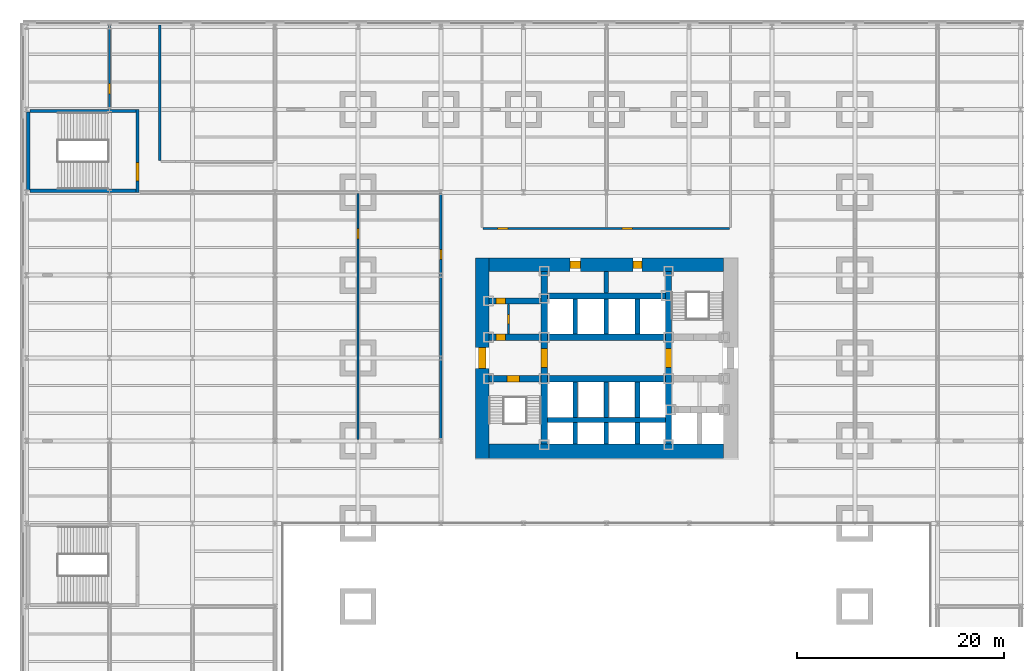
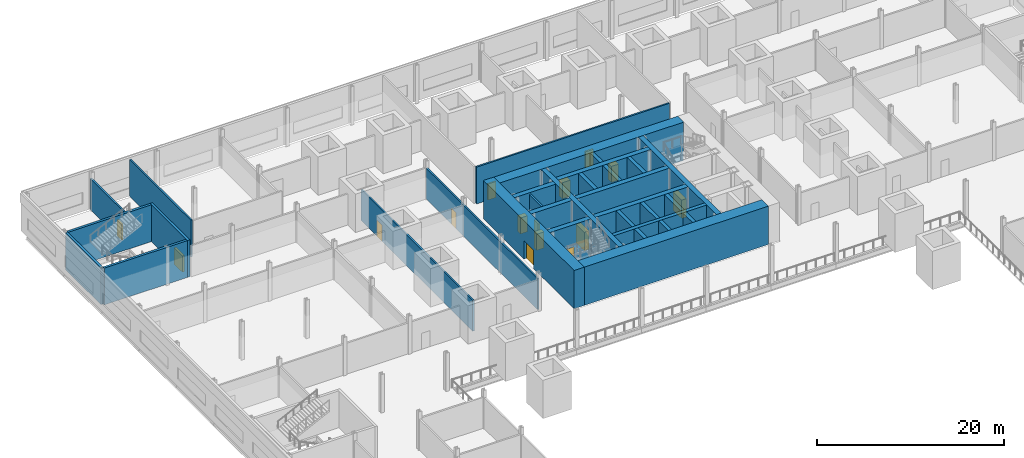
# One storey, part 11 of 18: 32 walls, 15 doors, 15 openings.
"""IFC4 building model written with IfcOpenShell, lengths in metres."""

from ifc_helpers import new_model, si_unit, direction, frame, frame_2d, origin, place, context, subcontext, project, spatial, rectangle, extrude, material, layer, layer_set, type_object, element, fill, save


model = new_model("IFC4")

# Units and contexts
model_context = context("Model", 3, precision=1e-05, world=origin(), true_north=direction((0.0, 1.0)))
body_context = subcontext(model_context, "Body", "Model", "MODEL_VIEW")
ifc_project = project(units=[si_unit("LENGTHUNIT", "METRE"), si_unit("AREAUNIT", "SQUARE_METRE"), si_unit("VOLUMEUNIT", "CUBIC_METRE"), si_unit("PLANEANGLEUNIT", "RADIAN"), si_unit("MASSUNIT", "GRAM", prefix="KILO")], contexts=[model_context])

# Site, building, storey
site_placement = place(None, origin())
site = spatial("IfcSite", under=ifc_project, at=site_placement, CompositionType="ELEMENT")
building_placement = place(site_placement, origin())
building = spatial("IfcBuilding", under=site, at=building_placement, Name="Daluyong Arena Tower", CompositionType="ELEMENT")
storey_placement = place(building_placement, frame((0.0, 0.0, 4.89990234375)))
storey = spatial("IfcBuildingStorey", under=building, at=storey_placement, Name="L01", CompositionType="ELEMENT", Elevation=4.89990234375)

# Wall, opening, door
ifc_material_1 = material(Name="Concrete fc' 60 MPa", Category="concrete")
ifc_layer_1 = layer(ifc_material_1, 0.60009765625)
ifc_layer_set_1 = layer_set([ifc_layer_1], Name="Concrete fc' 60 MPa")
wall_type_1 = type_object("IfcWallType", Name="Core inner wall 600", PredefinedType="SHEAR", material=ifc_layer_set_1)
wall_1_placement = place(storey_placement, frame((50.0, 71.699951171875, 0.0), z_axis=(0.0, 0.0, 1.0), x_axis=(0.0, 1.0, 0.0)))
wall_1 = element("IfcWall", 1, at=wall_1_placement, inside=storey, type_object=wall_type_1, Name="core inner wall at L01", PredefinedType="SHEAR", context=body_context, shape_type="SweptSolid", body=[
    extrude(rectangle(XDim=16.66015625, YDim=0.60009765625, at=frame_2d((8.330078125, 0.0))), origin(), (0.0, 0.0, 1.0), 5.0),
])
opening_1_placement = place(wall_1_placement, frame((7.39990234375, 0.0, 0.0)))
opening_1 = element("IfcOpeningElement", 2, at=opening_1_placement, cuts=wall_1, Name="Opening 01010", PredefinedType="OPENING", context=body_context, shape_type="SweptSolid", body=[
    extrude(rectangle(XDim=1.800048828125, YDim=2.39990234375, at=frame_2d((0.89990234375, 1.199951171875))), frame((0.0, 0.31005859375, 0.0), z_axis=(0.0, -1.0, 0.0), x_axis=(1.0, 0.0, 0.0)), (0.0, 0.0, 1.0), 0.6201171875),
])
ifc_material_2 = material(Name="Steel door, fire rated", Category="steel")
door_type_1 = type_object("IfcDoorType", Name="Lift lobby opening door 1800", OperationType="DOUBLE_DOOR_SINGLE_SWING", PredefinedType="DOOR", material=ifc_material_2)
door_1_placement = place(opening_1_placement, origin())
door_1 = element("IfcDoor", 3, at=door_1_placement, inside=storey, type_object=door_type_1, Name="lift lobby door west 01010", OperationType="DOUBLE_DOOR_SINGLE_SWING", OverallHeight=2.39990234375, OverallWidth=1.800048828125, PredefinedType="DOOR", context=body_context, shape_type="SweptSolid", body=[
    extrude(rectangle(XDim=1.800048828125, YDim=2.39990234375, at=frame_2d((0.89990234375, 1.199951171875))), frame((0.0, 0.2998046875, 0.0), z_axis=(0.0, -1.0, 0.0), x_axis=(1.0, 0.0, 0.0)), (0.0, 0.0, 1.0), 0.599609375),
])
fill(opening_1, door_1)

wall_2_placement = place(storey_placement, frame((62.0, 71.699951171875, 0.0), z_axis=(0.0, 0.0, 1.0), x_axis=(0.0, 1.0, 0.0)))
wall_2 = element("IfcWall", 4, at=wall_2_placement, inside=storey, type_object=wall_type_1, Name="core inner wall at L01", PredefinedType="SHEAR", context=body_context, shape_type="SweptSolid", body=[
    extrude(rectangle(XDim=16.66015625, YDim=0.60009765625, at=frame_2d((8.330078125, 0.0))), origin(), (0.0, 0.0, 1.0), 5.0),
])
opening_2_placement = place(wall_2_placement, frame((7.39990234375, 0.0, 0.0)))
opening_2 = element("IfcOpeningElement", 5, at=opening_2_placement, cuts=wall_2, Name="Opening 01011", PredefinedType="OPENING", context=body_context, shape_type="SweptSolid", body=[
    extrude(rectangle(XDim=1.800048828125, YDim=2.39990234375, at=frame_2d((0.89990234375, 1.199951171875))), frame((0.0, 0.31005859375, 0.0), z_axis=(0.0, -1.0, 0.0), x_axis=(1.0, 0.0, 0.0)), (0.0, 0.0, 1.0), 0.6201171875),
])
door_2_placement = place(opening_2_placement, origin())
door_2 = element("IfcDoor", 6, at=door_2_placement, inside=storey, type_object=door_type_1, Name="lift lobby door east 01011", OperationType="DOUBLE_DOOR_SINGLE_SWING", OverallHeight=2.39990234375, OverallWidth=1.800048828125, PredefinedType="DOOR", context=body_context, shape_type="SweptSolid", body=[
    extrude(rectangle(XDim=1.800048828125, YDim=2.39990234375, at=frame_2d((0.89990234375, 1.199951171875))), frame((0.0, 0.2998046875, 0.0), z_axis=(0.0, -1.0, 0.0), x_axis=(1.0, 0.0, 0.0)), (0.0, 0.0, 1.0), 0.599609375),
])
fill(opening_2, door_2)

wall_3_placement = place(storey_placement, frame((44.639892578125, 78.0, 0.0), z_axis=(0.0, 0.0, 1.0), x_axis=(1.0, 0.0, 0.0)))
wall_3 = element("IfcWall", 7, at=wall_3_placement, inside=storey, type_object=wall_type_1, Name="core inner wall at L01", PredefinedType="SHEAR", context=body_context, shape_type="SweptSolid", body=[
    extrude(rectangle(XDim=5.06005859375, YDim=0.60009765625, at=frame_2d((2.530029296875, 0.0))), origin(), (0.0, 0.0, 1.0), 5.0),
])
opening_3_placement = place(wall_3_placement, frame((1.760009765625, 0.0, 0.0)))
opening_3 = element("IfcOpeningElement", 8, at=opening_3_placement, cuts=wall_3, Name="Opening 01006", PredefinedType="OPENING", context=body_context, shape_type="SweptSolid", body=[
    extrude(rectangle(XDim=1.199951171875, YDim=2.10009765625, at=frame_2d((0.60009765625, 1.050048828125))), frame((0.0, 0.31005859375, 0.0), z_axis=(0.0, -1.0, 0.0), x_axis=(1.0, 0.0, 0.0)), (0.0, 0.0, 1.0), 0.6201171875),
])
ifc_material_3 = material(Name="Steel door, fire rated", Category="steel")
door_type_2 = type_object("IfcDoorType", Name="Stair door 1200", OperationType="SINGLE_SWING_LEFT", PredefinedType="DOOR", material=ifc_material_3)
door_3_placement = place(opening_3_placement, origin())
door_3 = element("IfcDoor", 9, at=door_3_placement, inside=storey, type_object=door_type_2, Name="stair A door 01006", OperationType="SINGLE_SWING_LEFT", OverallHeight=2.10009765625, OverallWidth=1.199951171875, PredefinedType="DOOR", context=body_context, shape_type="SweptSolid", body=[
    extrude(rectangle(XDim=1.199951171875, YDim=2.10009765625, at=frame_2d((0.60009765625, 1.050048828125))), frame((0.0, 0.2998046875, 0.0), z_axis=(0.0, -1.0, 0.0), x_axis=(1.0, 0.0, 0.0)), (0.0, 0.0, 1.0), 0.599609375),
])
fill(opening_3, door_3)

wall_4_placement = place(storey_placement, frame((44.639892578125, 82.0, 0.0), z_axis=(0.0, 0.0, 1.0), x_axis=(1.0, 0.0, 0.0)))
wall_4 = element("IfcWall", 10, at=wall_4_placement, inside=storey, type_object=wall_type_1, Name="core inner wall at L01", PredefinedType="SHEAR", context=body_context, shape_type="SweptSolid", body=[
    extrude(rectangle(XDim=5.06005859375, YDim=0.60009765625, at=frame_2d((2.530029296875, 0.0))), origin(), (0.0, 0.0, 1.0), 5.0),
])
opening_4_placement = place(wall_4_placement, frame((0.699951171875, 0.0, 0.0)))
opening_4 = element("IfcOpeningElement", 11, at=opening_4_placement, cuts=wall_4, Name="Opening 01001", PredefinedType="OPENING", context=body_context, shape_type="SweptSolid", body=[
    extrude(rectangle(XDim=0.89990234375, YDim=2.10009765625, at=frame_2d((0.449951171875, 1.050048828125))), frame((0.0, 0.31005859375, 0.0), z_axis=(0.0, -1.0, 0.0), x_axis=(1.0, 0.0, 0.0)), (0.0, 0.0, 1.0), 0.6201171875),
])
ifc_material_4 = material(Name="Steel door, fire rated", Category="steel")
door_type_3 = type_object("IfcDoorType", Name="Core room door 900", OperationType="SINGLE_SWING_LEFT", PredefinedType="DOOR", material=ifc_material_4)
door_4_placement = place(opening_4_placement, origin())
door_4 = element("IfcDoor", 12, at=door_4_placement, inside=storey, type_object=door_type_3, Name="toilet lobby door 01001", OperationType="SINGLE_SWING_LEFT", OverallHeight=2.10009765625, OverallWidth=0.89990234375, PredefinedType="DOOR", context=body_context, shape_type="SweptSolid", body=[
    extrude(rectangle(XDim=0.89990234375, YDim=2.10009765625, at=frame_2d((0.449951171875, 1.050048828125))), frame((0.0, 0.2998046875, 0.0), z_axis=(0.0, -1.0, 0.0), x_axis=(1.0, 0.0, 0.0)), (0.0, 0.0, 1.0), 0.599609375),
])
fill(opening_4, door_4)

wall_5_placement = place(storey_placement, frame((44.639892578125, 85.5, 0.0), z_axis=(0.0, 0.0, 1.0), x_axis=(1.0, 0.0, 0.0)))
wall_5 = element("IfcWall", 13, at=wall_5_placement, inside=storey, type_object=wall_type_1, Name="core inner wall at L01", PredefinedType="SHEAR", context=body_context, shape_type="SweptSolid", body=[
    extrude(rectangle(XDim=5.06005859375, YDim=0.60009765625, at=frame_2d((2.530029296875, 0.0))), origin(), (0.0, 0.0, 1.0), 5.0),
])
opening_5_placement = place(wall_5_placement, frame((0.699951171875, 0.0, 0.0)))
opening_5 = element("IfcOpeningElement", 14, at=opening_5_placement, cuts=wall_5, Name="Opening 01003", PredefinedType="OPENING", context=body_context, shape_type="SweptSolid", body=[
    extrude(rectangle(XDim=0.89990234375, YDim=2.10009765625, at=frame_2d((0.449951171875, 1.050048828125))), frame((0.0, 0.31005859375, 0.0), z_axis=(0.0, -1.0, 0.0), x_axis=(1.0, 0.0, 0.0)), (0.0, 0.0, 1.0), 0.6201171875),
])
ifc_material_5 = material(Name="Timber door", Category="wood")
door_type_4 = type_object("IfcDoorType", Name="Toilet door 900", OperationType="SINGLE_SWING_RIGHT", PredefinedType="DOOR", material=ifc_material_5)
door_5_placement = place(opening_5_placement, origin())
door_5 = element("IfcDoor", 15, at=door_5_placement, inside=storey, type_object=door_type_4, Name="female toilet door 01003", OperationType="SINGLE_SWING_RIGHT", OverallHeight=2.10009765625, OverallWidth=0.89990234375, PredefinedType="DOOR", context=body_context, shape_type="SweptSolid", body=[
    extrude(rectangle(XDim=0.89990234375, YDim=2.10009765625, at=frame_2d((0.449951171875, 1.050048828125))), frame((0.0, 0.2998046875, 0.0), z_axis=(0.0, -1.0, 0.0), x_axis=(1.0, 0.0, 0.0)), (0.0, 0.0, 1.0), 0.599609375),
])
fill(opening_5, door_5)

# Walls
for number, where, z_axis, x_axis, name in (
    (16, (50.300048828125, 78.0, 0.0), (0.0, 0.0, 1.0), (1.0, 0.0, 0.0), "core inner wall at L01"),
    (17, (50.300048828125, 82.0, 0.0), (0.0, 0.0, 1.0), (1.0, 0.0, 0.0), "core inner wall at L01"),
    (18, (50.300048828125, 86.0, 0.0), (0.0, 0.0, 1.0), (1.0, 0.0, 0.0), "core inner wall at L01"),
):
    element("IfcWall", number, at=place(storey_placement, frame(where, z_axis=z_axis, x_axis=x_axis)), inside=storey, type_object=wall_type_1, Name=name, PredefinedType="SHEAR", context=body_context, shape_type="SweptSolid", body=[
        extrude(rectangle(XDim=11.39990234375, YDim=0.60009765625, at=frame_2d((5.699951171875, 0.0))), origin(), (0.0, 0.0, 1.0), 5.0),
    ])

# Wall, opening, door
ifc_material_6 = material(Name="Concrete fc' 60 MPa", Category="concrete")
ifc_layer_2 = layer(ifc_material_6, 1.280029296875)
ifc_layer_set_2 = layer_set([ifc_layer_2], Name="Concrete fc' 60 MPa")
wall_type_2 = type_object("IfcWallType", Name="Core wall 1280", PredefinedType="SHEAR", material=ifc_layer_set_2)
wall_6_placement = place(storey_placement, frame((44.0, 70.300048828125, 0.0), z_axis=(0.0, 0.0, 1.0), x_axis=(0.0, 1.0, 0.0)))
wall_6 = element("IfcWall", 19, at=wall_6_placement, inside=storey, type_object=wall_type_2, Name="core wall at L01", PredefinedType="SHEAR", context=body_context, shape_type="SweptSolid", body=[
    extrude(rectangle(XDim=19.33984375, YDim=1.280029296875, at=frame_2d((9.669921875, 0.0))), origin(), (0.0, 0.0, 1.0), 5.0),
])
opening_6_placement = place(wall_6_placement, frame((8.699951171875, 0.0, 0.0)))
opening_6 = element("IfcOpeningElement", 20, at=opening_6_placement, cuts=wall_6, Name="Opening 01008", PredefinedType="OPENING", context=body_context, shape_type="SweptSolid", body=[
    extrude(rectangle(XDim=2.0, YDim=2.39990234375, at=frame_2d((1.0, 1.199951171875))), frame((0.0, 0.64990234375, 0.0), z_axis=(0.0, -1.0, 0.0), x_axis=(1.0, 0.0, 0.0)), (0.0, 0.0, 1.0), 1.300048828125),
])
ifc_material_7 = material(Name="Steel door, fire rated", Category="steel")
door_type_5 = type_object("IfcDoorType", Name="Core lobby double door 2000", OperationType="DOUBLE_DOOR_SINGLE_SWING", PredefinedType="DOOR", material=ifc_material_7)
door_6_placement = place(opening_6_placement, origin())
door_6 = element("IfcDoor", 21, at=door_6_placement, inside=storey, type_object=door_type_5, Name="core lobby door west 01008", OperationType="DOUBLE_DOOR_SINGLE_SWING", OverallHeight=2.39990234375, OverallWidth=2.0, PredefinedType="DOOR", context=body_context, shape_type="SweptSolid", body=[
    extrude(rectangle(XDim=2.0, YDim=2.39990234375, at=frame_2d((1.0, 1.199951171875))), frame((0.0, 0.35009765625, 0.0), z_axis=(0.0, -1.0, 0.0), x_axis=(1.0, 0.0, 0.0)), (0.0, 0.0, 1.0), 0.699951171875),
])
fill(opening_6, door_6)

# Wall, openings, doors
wall_7_placement = place(storey_placement, frame((44.639892578125, 89.0, 0.0), z_axis=(0.0, 0.0, 1.0), x_axis=(1.0, 0.0, 0.0)))
wall_7 = element("IfcWall", 22, at=wall_7_placement, inside=storey, type_object=wall_type_2, Name="core wall at L01", PredefinedType="SHEAR", context=body_context, shape_type="SweptSolid", body=[
    extrude(rectangle(XDim=22.66015625, YDim=1.280029296875, at=frame_2d((11.330078125, 0.0))), origin(), (0.0, 0.0, 1.0), 5.0),
])
opening_7_placement = place(wall_7_placement, frame((7.860107421875, 0.0, 0.0)))
opening_7 = element("IfcOpeningElement", 23, at=opening_7_placement, cuts=wall_7, Name="Opening 01004", PredefinedType="OPENING", context=body_context, shape_type="SweptSolid", body=[
    extrude(rectangle(XDim=1.0, YDim=2.10009765625, at=frame_2d((0.5, 1.050048828125))), frame((0.0, 0.64990234375, 0.0), z_axis=(0.0, -1.0, 0.0), x_axis=(1.0, 0.0, 0.0)), (0.0, 0.0, 1.0), 1.300048828125),
])
opening_8_placement = place(wall_7_placement, frame((13.909912109375, 0.0, 0.0)))
opening_8 = element("IfcOpeningElement", 24, at=opening_8_placement, cuts=wall_7, Name="Opening 01005", PredefinedType="OPENING", context=body_context, shape_type="SweptSolid", body=[
    extrude(rectangle(XDim=0.89990234375, YDim=2.10009765625, at=frame_2d((0.449951171875, 1.050048828125))), frame((0.0, 0.64990234375, 0.0), z_axis=(0.0, -1.0, 0.0), x_axis=(1.0, 0.0, 0.0)), (0.0, 0.0, 1.0), 1.300048828125),
])
ifc_material_8 = material(Name="Timber door", Category="wood")
door_type_6 = type_object("IfcDoorType", Name="Accessible toilet door 1000", OperationType="SINGLE_SWING_LEFT", PredefinedType="DOOR", material=ifc_material_8)
door_7_placement = place(opening_7_placement, origin())
door_7 = element("IfcDoor", 25, at=door_7_placement, inside=storey, type_object=door_type_6, Name="accessible toilet door 01004", OperationType="SINGLE_SWING_LEFT", OverallHeight=2.10009765625, OverallWidth=1.0, PredefinedType="DOOR", context=body_context, shape_type="SweptSolid", body=[
    extrude(rectangle(XDim=1.0, YDim=2.10009765625, at=frame_2d((0.5, 1.050048828125))), frame((0.0, 0.35009765625, 0.0), z_axis=(0.0, -1.0, 0.0), x_axis=(1.0, 0.0, 0.0)), (0.0, 0.0, 1.0), 0.699951171875),
])
fill(opening_7, door_7)
ifc_material_9 = material(Name="Steel door, fire rated", Category="steel")
door_type_7 = type_object("IfcDoorType", Name="Riser door 900", OperationType="SINGLE_SWING_LEFT", PredefinedType="DOOR", material=ifc_material_9)
door_8_placement = place(opening_8_placement, origin())
door_8 = element("IfcDoor", 26, at=door_8_placement, inside=storey, type_object=door_type_7, Name="riser door 01005", OperationType="SINGLE_SWING_LEFT", OverallHeight=2.10009765625, OverallWidth=0.89990234375, PredefinedType="DOOR", context=body_context, shape_type="SweptSolid", body=[
    extrude(rectangle(XDim=0.89990234375, YDim=2.10009765625, at=frame_2d((0.449951171875, 1.050048828125))), frame((0.0, 0.35009765625, 0.0), z_axis=(0.0, -1.0, 0.0), x_axis=(1.0, 0.0, 0.0)), (0.0, 0.0, 1.0), 0.699951171875),
])
fill(opening_8, door_8)

# Wall
ifc_material_10 = material(Name="Concrete fc' 60 MPa", Category="concrete")
ifc_layer_3 = layer(ifc_material_10, 1.39990234375)
ifc_layer_set_3 = layer_set([ifc_layer_3], Name="Concrete fc' 60 MPa")
wall_type_3 = type_object("IfcWallType", Name="Core wall 1400", PredefinedType="SHEAR", material=ifc_layer_set_3)
wall_8_placement = place(storey_placement, frame((44.639892578125, 71.0, 0.0), z_axis=(0.0, 0.0, 1.0), x_axis=(1.0, 0.0, 0.0)))
element("IfcWall", 27, at=wall_8_placement, inside=storey, type_object=wall_type_3, Name="core wall at L01", PredefinedType="SHEAR", context=body_context, shape_type="SweptSolid", body=[
    extrude(rectangle(XDim=22.66015625, YDim=1.39990234375, at=frame_2d((11.330078125, 0.0))), origin(), (0.0, 0.0, 1.0), 5.0),
])

# Wall, opening, door
ifc_material_11 = material(Name="Concrete block partition, fire rated", Category="concrete")
ifc_layer_4 = layer(ifc_material_11, 0.199951171875)
ifc_layer_set_4 = layer_set([ifc_layer_4], Name="Concrete block partition, fire rated")
wall_type_4 = type_object("IfcWallType", Name="Fire-rated partition 200", PredefinedType="PARTITIONING", material=ifc_layer_set_4)
wall_9_placement = place(storey_placement, frame((46.5400390625, 82.300048828125, 0.0), z_axis=(0.0, 0.0, 1.0), x_axis=(0.0, 1.0, 0.0)))
wall_9 = element("IfcWall", 28, at=wall_9_placement, inside=storey, type_object=wall_type_4, Name="toilet lobby partition at L01", PredefinedType="PARTITIONING", context=body_context, shape_type="SweptSolid", body=[
    extrude(rectangle(XDim=2.89990234375, YDim=0.199951171875, at=frame_2d((1.449951171875, 0.0))), origin(), (0.0, 0.0, 1.0), 4.800048828125),
])
opening_9_placement = place(wall_9_placement, frame((1.0, 0.0, 0.0)))
opening_9 = element("IfcOpeningElement", 29, at=opening_9_placement, cuts=wall_9, Name="Opening 01002", PredefinedType="OPENING", context=body_context, shape_type="SweptSolid", body=[
    extrude(rectangle(XDim=0.89990234375, YDim=2.10009765625, at=frame_2d((0.449951171875, 1.050048828125))), frame((0.0, 0.10986328125, 0.0), z_axis=(0.0, -1.0, 0.0), x_axis=(1.0, 0.0, 0.0)), (0.0, 0.0, 1.0), 0.219970703125),
])
door_9_placement = place(opening_9_placement, origin())
door_9 = element("IfcDoor", 30, at=door_9_placement, inside=storey, type_object=door_type_4, Name="male toilet door 01002", OperationType="SINGLE_SWING_RIGHT", OverallHeight=2.10009765625, OverallWidth=0.89990234375, PredefinedType="DOOR", context=body_context, shape_type="SweptSolid", body=[
    extrude(rectangle(XDim=0.89990234375, YDim=2.10009765625, at=frame_2d((0.449951171875, 1.050048828125))), frame((0.0, 0.099609375, 0.0), z_axis=(0.0, -1.0, 0.0), x_axis=(1.0, 0.0, 0.0)), (0.0, 0.0, 1.0), 0.199462890625),
])
fill(opening_9, door_9)

# Walls
ifc_material_12 = material(Name="Concrete fc' 45 MPa", Category="concrete")
ifc_layer_5 = layer(ifc_material_12, 0.449951171875)
ifc_layer_set_5 = layer_set([ifc_layer_5], Name="Concrete fc' 45 MPa")
wall_type_5 = type_object("IfcWallType", Name="Lift shaft wall 450", PredefinedType="SHEAR", material=ifc_layer_set_5)
wall_10_placement = place(storey_placement, frame((50.300048828125, 74.0, 0.0), z_axis=(0.0, 0.0, 1.0), x_axis=(1.0, 0.0, 0.0)))
element("IfcWall", 31, at=wall_10_placement, inside=storey, type_object=wall_type_5, Name="lift shaft wall at L01", PredefinedType="SHEAR", context=body_context, shape_type="SweptSolid", body=[
    extrude(rectangle(XDim=11.39990234375, YDim=0.449951171875, at=frame_2d((5.699951171875, 0.0))), origin(), (0.0, 0.0, 1.0), 5.0),
])
wall_11_placement = place(storey_placement, frame((53.0, 71.699951171875, 0.0), z_axis=(0.0, 0.0, 1.0), x_axis=(0.0, 1.0, 0.0)))
element("IfcWall", 32, at=wall_11_placement, inside=storey, type_object=wall_type_5, Name="lift shaft wall at L01", PredefinedType="SHEAR", context=body_context, shape_type="SweptSolid", body=[
    extrude(rectangle(XDim=2.074951171875, YDim=0.449951171875, at=frame_2d((1.03759765625, 0.0))), origin(), (0.0, 0.0, 1.0), 5.0),
])
wall_12_placement = place(storey_placement, frame((53.0, 74.22509765625, 0.0), z_axis=(0.0, 0.0, 1.0), x_axis=(0.0, 1.0, 0.0)))
element("IfcWall", 33, at=wall_12_placement, inside=storey, type_object=wall_type_5, Name="lift shaft wall at L01", PredefinedType="SHEAR", context=body_context, shape_type="SweptSolid", body=[
    extrude(rectangle(XDim=3.474853515625, YDim=0.449951171875, at=frame_2d((1.7373046875, 0.0))), origin(), (0.0, 0.0, 1.0), 5.0),
])
wall_13_placement = place(storey_placement, frame((53.0, 82.300048828125, 0.0), z_axis=(0.0, 0.0, 1.0), x_axis=(0.0, 1.0, 0.0)))
element("IfcWall", 34, at=wall_13_placement, inside=storey, type_object=wall_type_5, Name="lift shaft wall at L01", PredefinedType="SHEAR", context=body_context, shape_type="SweptSolid", body=[
    extrude(rectangle(XDim=3.39990234375, YDim=0.449951171875, at=frame_2d((1.699951171875, 0.0))), origin(), (0.0, 0.0, 1.0), 5.0),
])
wall_14_placement = place(storey_placement, frame((56.0, 71.699951171875, 0.0), z_axis=(0.0, 0.0, 1.0), x_axis=(0.0, 1.0, 0.0)))
element("IfcWall", 35, at=wall_14_placement, inside=storey, type_object=wall_type_5, Name="lift shaft wall at L01", PredefinedType="SHEAR", context=body_context, shape_type="SweptSolid", body=[
    extrude(rectangle(XDim=2.074951171875, YDim=0.449951171875, at=frame_2d((1.03759765625, 0.0))), origin(), (0.0, 0.0, 1.0), 5.0),
])
wall_15_placement = place(storey_placement, frame((56.0, 74.22509765625, 0.0), z_axis=(0.0, 0.0, 1.0), x_axis=(0.0, 1.0, 0.0)))
element("IfcWall", 36, at=wall_15_placement, inside=storey, type_object=wall_type_5, Name="lift shaft wall at L01", PredefinedType="SHEAR", context=body_context, shape_type="SweptSolid", body=[
    extrude(rectangle(XDim=3.474853515625, YDim=0.449951171875, at=frame_2d((1.7373046875, 0.0))), origin(), (0.0, 0.0, 1.0), 5.0),
])
wall_16_placement = place(storey_placement, frame((56.0, 82.300048828125, 0.0), z_axis=(0.0, 0.0, 1.0), x_axis=(0.0, 1.0, 0.0)))
element("IfcWall", 37, at=wall_16_placement, inside=storey, type_object=wall_type_5, Name="lift shaft wall at L01", PredefinedType="SHEAR", context=body_context, shape_type="SweptSolid", body=[
    extrude(rectangle(XDim=3.39990234375, YDim=0.449951171875, at=frame_2d((1.699951171875, 0.0))), origin(), (0.0, 0.0, 1.0), 5.0),
])
wall_17_placement = place(storey_placement, frame((59.0, 71.699951171875, 0.0), z_axis=(0.0, 0.0, 1.0), x_axis=(0.0, 1.0, 0.0)))
element("IfcWall", 38, at=wall_17_placement, inside=storey, type_object=wall_type_5, Name="lift shaft wall at L01", PredefinedType="SHEAR", context=body_context, shape_type="SweptSolid", body=[
    extrude(rectangle(XDim=2.074951171875, YDim=0.449951171875, at=frame_2d((1.03759765625, 0.0))), origin(), (0.0, 0.0, 1.0), 5.0),
])
wall_18_placement = place(storey_placement, frame((59.0, 74.22509765625, 0.0), z_axis=(0.0, 0.0, 1.0), x_axis=(0.0, 1.0, 0.0)))
element("IfcWall", 39, at=wall_18_placement, inside=storey, type_object=wall_type_5, Name="lift shaft wall at L01", PredefinedType="SHEAR", context=body_context, shape_type="SweptSolid", body=[
    extrude(rectangle(XDim=3.474853515625, YDim=0.449951171875, at=frame_2d((1.7373046875, 0.0))), origin(), (0.0, 0.0, 1.0), 5.0),
])
wall_19_placement = place(storey_placement, frame((59.0, 82.300048828125, 0.0), z_axis=(0.0, 0.0, 1.0), x_axis=(0.0, 1.0, 0.0)))
element("IfcWall", 40, at=wall_19_placement, inside=storey, type_object=wall_type_5, Name="lift shaft wall at L01", PredefinedType="SHEAR", context=body_context, shape_type="SweptSolid", body=[
    extrude(rectangle(XDim=3.39990234375, YDim=0.449951171875, at=frame_2d((1.699951171875, 0.0))), origin(), (0.0, 0.0, 1.0), 5.0),
])
wall_20_placement = place(storey_placement, frame((56.0, 86.300048828125, 0.0), z_axis=(0.0, 0.0, 1.0), x_axis=(0.0, 1.0, 0.0)))
element("IfcWall", 41, at=wall_20_placement, inside=storey, type_object=wall_type_5, Name="lift shaft wall at L01", PredefinedType="SHEAR", context=body_context, shape_type="SweptSolid", body=[
    extrude(rectangle(XDim=2.06005859375, YDim=0.449951171875, at=frame_2d((1.030029296875, 0.0))), origin(), (0.0, 0.0, 1.0), 5.0),
])

# Wall, openings, doors
ifc_material_13 = material(Name="Concrete block partition", Category="concrete")
ifc_layer_6 = layer(ifc_material_13, 0.199951171875)
ifc_layer_set_6 = layer_set([ifc_layer_6], Name="Concrete block partition")
wall_type_6 = type_object("IfcWallType", Name="Partition 200", PredefinedType="PARTITIONING", material=ifc_layer_set_6)
wall_21_placement = place(storey_placement, frame((44.10009765625, 92.5, 0.0), z_axis=(0.0, 0.0, 1.0), x_axis=(1.0, 0.0, 0.0)))
wall_21 = element("IfcWall", 42, at=wall_21_placement, inside=storey, type_object=wall_type_6, Name="partition at L01", PredefinedType="PARTITIONING", context=body_context, shape_type="SweptSolid", body=[
    extrude(rectangle(XDim=23.7998046875, YDim=0.199951171875, at=frame_2d((11.89990234375, 0.0))), origin(), (0.0, 0.0, 1.0), 4.800048828125),
])
opening_10_placement = place(wall_21_placement, frame((1.39990234375, 0.0, 0.0)))
opening_10 = element("IfcOpeningElement", 43, at=opening_10_placement, cuts=wall_21, Name="Opening 01056", PredefinedType="OPENING", context=body_context, shape_type="SweptSolid", body=[
    extrude(rectangle(XDim=1.0, YDim=2.10009765625, at=frame_2d((0.5, 1.050048828125))), frame((0.0, 0.10986328125, 0.0), z_axis=(0.0, -1.0, 0.0), x_axis=(1.0, 0.0, 0.0)), (0.0, 0.0, 1.0), 0.219970703125),
])
opening_11_placement = place(wall_21_placement, frame((13.39990234375, 0.0, 0.0)))
opening_11 = element("IfcOpeningElement", 44, at=opening_11_placement, cuts=wall_21, Name="Opening 01058", PredefinedType="OPENING", context=body_context, shape_type="SweptSolid", body=[
    extrude(rectangle(XDim=1.0, YDim=2.10009765625, at=frame_2d((0.5, 1.050048828125))), frame((0.0, 0.10986328125, 0.0), z_axis=(0.0, -1.0, 0.0), x_axis=(1.0, 0.0, 0.0)), (0.0, 0.0, 1.0), 0.219970703125),
])
ifc_material_14 = material(Name="Timber door", Category="wood")
door_type_8 = type_object("IfcDoorType", Name="Room door 1000", OperationType="SINGLE_SWING_LEFT", PredefinedType="DOOR", material=ifc_material_14)
door_10_placement = place(opening_10_placement, origin())
door_10 = element("IfcDoor", 45, at=door_10_placement, inside=storey, type_object=door_type_8, Name="team dressing room 1 door 01056", OperationType="SINGLE_SWING_LEFT", OverallHeight=2.10009765625, OverallWidth=1.0, PredefinedType="DOOR", context=body_context, shape_type="SweptSolid", body=[
    extrude(rectangle(XDim=1.0, YDim=2.10009765625, at=frame_2d((0.5, 1.050048828125))), frame((0.0, 0.099609375, 0.0), z_axis=(0.0, -1.0, 0.0), x_axis=(1.0, 0.0, 0.0)), (0.0, 0.0, 1.0), 0.199462890625),
])
fill(opening_10, door_10)
door_11_placement = place(opening_11_placement, origin())
door_11 = element("IfcDoor", 46, at=door_11_placement, inside=storey, type_object=door_type_8, Name="team dressing room 2 door 01058", OperationType="SINGLE_SWING_LEFT", OverallHeight=2.10009765625, OverallWidth=1.0, PredefinedType="DOOR", context=body_context, shape_type="SweptSolid", body=[
    extrude(rectangle(XDim=1.0, YDim=2.10009765625, at=frame_2d((0.5, 1.050048828125))), frame((0.0, 0.099609375, 0.0), z_axis=(0.0, -1.0, 0.0), x_axis=(1.0, 0.0, 0.0)), (0.0, 0.0, 1.0), 0.199462890625),
])
fill(opening_11, door_11)

# Wall, opening, door
wall_22_placement = place(storey_placement, frame((8.0, 104.10009765625, 0.0), z_axis=(0.0, 0.0, 1.0), x_axis=(0.0, 1.0, 0.0)))
wall_22 = element("IfcWall", 47, at=wall_22_placement, inside=storey, type_object=wall_type_6, Name="partition at L01", PredefinedType="PARTITIONING", context=body_context, shape_type="SweptSolid", body=[
    extrude(rectangle(XDim=8.0498046875, YDim=0.199951171875, at=frame_2d((4.02490234375, 0.0))), origin(), (0.0, 0.0, 1.0), 4.02783203125),
])
opening_12_placement = place(wall_22_placement, frame((1.39990234375, 0.0, 0.0)))
opening_12 = element("IfcOpeningElement", 48, at=opening_12_placement, cuts=wall_22, Name="Opening 01054", PredefinedType="OPENING", context=body_context, shape_type="SweptSolid", body=[
    extrude(rectangle(XDim=1.0, YDim=2.10009765625, at=frame_2d((0.5, 1.050048828125))), frame((0.0, 0.10986328125, 0.0), z_axis=(0.0, -1.0, 0.0), x_axis=(1.0, 0.0, 0.0)), (0.0, 0.0, 1.0), 0.219970703125),
])
door_12_placement = place(opening_12_placement, origin())
door_12 = element("IfcDoor", 49, at=door_12_placement, inside=storey, type_object=door_type_8, Name="officials dressing room door 01054", OperationType="SINGLE_SWING_LEFT", OverallHeight=2.10009765625, OverallWidth=1.0, PredefinedType="DOOR", context=body_context, shape_type="SweptSolid", body=[
    extrude(rectangle(XDim=1.0, YDim=2.10009765625, at=frame_2d((0.5, 1.050048828125))), frame((0.0, 0.099609375, 0.0), z_axis=(0.0, -1.0, 0.0), x_axis=(1.0, 0.0, 0.0)), (0.0, 0.0, 1.0), 0.199462890625),
])
fill(opening_12, door_12)

# Wall
wall_23_placement = place(storey_placement, frame((12.85009765625, 99.10009765625, 0.0), z_axis=(0.0, 0.0, 1.0), x_axis=(0.0, 1.0, 0.0)))
element("IfcWall", 50, at=wall_23_placement, inside=storey, type_object=wall_type_6, Name="partition at L01", PredefinedType="PARTITIONING", context=body_context, shape_type="SweptSolid", body=[
    extrude(rectangle(XDim=13.0498046875, YDim=0.199951171875, at=frame_2d((6.52490234375, 0.0))), origin(), (0.0, 0.0, 1.0), 4.800048828125),
])

# Wall, opening, door
wall_24_placement = place(storey_placement, frame((32.0, 72.10009765625, 0.0), z_axis=(0.0, 0.0, 1.0), x_axis=(0.0, 1.0, 0.0)))
wall_24 = element("IfcWall", 51, at=wall_24_placement, inside=storey, type_object=wall_type_6, Name="partition at L01", PredefinedType="PARTITIONING", context=body_context, shape_type="SweptSolid", body=[
    extrude(rectangle(XDim=23.7998046875, YDim=0.199951171875, at=frame_2d((11.89990234375, 0.0))), origin(), (0.0, 0.0, 1.0), 4.02783203125),
])
opening_13_placement = place(wall_24_placement, frame((19.39990234375, 0.0, 0.0)))
opening_13 = element("IfcOpeningElement", 52, at=opening_13_placement, cuts=wall_24, Name="Opening 01052", PredefinedType="OPENING", context=body_context, shape_type="SweptSolid", body=[
    extrude(rectangle(XDim=1.0, YDim=2.10009765625, at=frame_2d((0.5, 1.050048828125))), frame((0.0, 0.10986328125, 0.0), z_axis=(0.0, -1.0, 0.0), x_axis=(1.0, 0.0, 0.0)), (0.0, 0.0, 1.0), 0.219970703125),
])
door_13_placement = place(opening_13_placement, origin())
door_13 = element("IfcDoor", 53, at=door_13_placement, inside=storey, type_object=door_type_8, Name="security store door 01052", OperationType="SINGLE_SWING_LEFT", OverallHeight=2.10009765625, OverallWidth=1.0, PredefinedType="DOOR", context=body_context, shape_type="SweptSolid", body=[
    extrude(rectangle(XDim=1.0, YDim=2.10009765625, at=frame_2d((0.5, 1.050048828125))), frame((0.0, 0.099609375, 0.0), z_axis=(0.0, -1.0, 0.0), x_axis=(1.0, 0.0, 0.0)), (0.0, 0.0, 1.0), 0.199462890625),
])
fill(opening_13, door_13)

wall_25_placement = place(storey_placement, frame((40.0, 72.10009765625, 0.0), z_axis=(0.0, 0.0, 1.0), x_axis=(0.0, 1.0, 0.0)))
wall_25 = element("IfcWall", 54, at=wall_25_placement, inside=storey, type_object=wall_type_6, Name="partition at L01", PredefinedType="PARTITIONING", context=body_context, shape_type="SweptSolid", body=[
    extrude(rectangle(XDim=23.7998046875, YDim=0.199951171875, at=frame_2d((11.89990234375, 0.0))), origin(), (0.0, 0.0, 1.0), 4.02783203125),
])
opening_14_placement = place(wall_25_placement, frame((17.39990234375, 0.0, 0.0)))
opening_14 = element("IfcOpeningElement", 55, at=opening_14_placement, cuts=wall_25, Name="Opening 01051", PredefinedType="OPENING", context=body_context, shape_type="SweptSolid", body=[
    extrude(rectangle(XDim=1.0, YDim=2.10009765625, at=frame_2d((0.5, 1.050048828125))), frame((0.0, 0.10986328125, 0.0), z_axis=(0.0, -1.0, 0.0), x_axis=(1.0, 0.0, 0.0)), (0.0, 0.0, 1.0), 0.219970703125),
])
door_14_placement = place(opening_14_placement, origin())
door_14 = element("IfcDoor", 56, at=door_14_placement, inside=storey, type_object=door_type_8, Name="security control room door 01051", OperationType="SINGLE_SWING_LEFT", OverallHeight=2.10009765625, OverallWidth=1.0, PredefinedType="DOOR", context=body_context, shape_type="SweptSolid", body=[
    extrude(rectangle(XDim=1.0, YDim=2.10009765625, at=frame_2d((0.5, 1.050048828125))), frame((0.0, 0.099609375, 0.0), z_axis=(0.0, -1.0, 0.0), x_axis=(1.0, 0.0, 0.0)), (0.0, 0.0, 1.0), 0.199462890625),
])
fill(opening_14, door_14)

# Wall
ifc_material_15 = material(Name="Concrete fc' 35 MPa", Category="concrete")
ifc_layer_7 = layer(ifc_material_15, 0.300048828125)
ifc_layer_set_7 = layer_set([ifc_layer_7], Name="Concrete fc' 35 MPa")
wall_type_7 = type_object("IfcWallType", Name="Stair enclosure wall 300", PredefinedType="SOLIDWALL", material=ifc_layer_set_7)
wall_26_placement = place(storey_placement, frame((0.14990234375, 96.227294921875, 0.0), z_axis=(0.0, 0.0, 1.0), x_axis=(0.0, 1.0, 0.0)))
element("IfcWall", 57, at=wall_26_placement, inside=storey, type_object=wall_type_7, Name="exit stair PS5 enclosure", PredefinedType="SOLIDWALL", context=body_context, shape_type="SweptSolid", body=[
    extrude(rectangle(XDim=7.54541015625, YDim=0.300048828125, at=frame_2d((3.772705078125, 0.0))), origin(), (0.0, 0.0, 1.0), 4.800048828125),
])

# Wall, opening, door
wall_27_placement = place(storey_placement, frame((10.699951171875, 96.0, 0.0), z_axis=(0.0, 0.0, 1.0), x_axis=(0.0, 1.0, 0.0)))
wall_27 = element("IfcWall", 58, at=wall_27_placement, inside=storey, type_object=wall_type_7, Name="exit stair PS5 enclosure", PredefinedType="SOLIDWALL", context=body_context, shape_type="SweptSolid", body=[
    extrude(rectangle(XDim=8.0, YDim=0.300048828125, at=frame_2d((4.0, 0.0))), origin(), (0.0, 0.0, 1.0), 4.800048828125),
])
opening_15_placement = place(wall_27_placement, frame((1.10009765625, 0.0, 0.0)))
opening_15 = element("IfcOpeningElement", 59, at=opening_15_placement, cuts=wall_27, Name="Opening 01019", PredefinedType="OPENING", context=body_context, shape_type="SweptSolid", body=[
    extrude(rectangle(XDim=1.800048828125, YDim=2.10009765625, at=frame_2d((0.89990234375, 1.050048828125))), frame((0.0, 0.159912109375, 0.0), z_axis=(0.0, -1.0, 0.0), x_axis=(1.0, 0.0, 0.0)), (0.0, 0.0, 1.0), 0.320068359375),
])
ifc_material_16 = material(Name="Steel door, fire rated", Category="steel")
door_type_9 = type_object("IfcDoorType", Name="Exit stair double door 1800", OperationType="DOUBLE_DOOR_SINGLE_SWING", PredefinedType="DOOR", material=ifc_material_16)
door_15_placement = place(opening_15_placement, origin())
door_15 = element("IfcDoor", 60, at=door_15_placement, inside=storey, type_object=door_type_9, Name="exit stair PS5 door 01019", OperationType="DOUBLE_DOOR_SINGLE_SWING", OverallHeight=2.10009765625, OverallWidth=1.800048828125, PredefinedType="DOOR", context=body_context, shape_type="SweptSolid", body=[
    extrude(rectangle(XDim=1.800048828125, YDim=2.10009765625, at=frame_2d((0.89990234375, 1.050048828125))), frame((0.0, 0.14990234375, 0.0), z_axis=(0.0, -1.0, 0.0), x_axis=(1.0, 0.0, 0.0)), (0.0, 0.0, 1.0), 0.299560546875),
])
fill(opening_15, door_15)

# Walls
for number, where, z_axis, x_axis, name in (
    (61, (0.300048828125, 96.14990234375, 0.0), (0.0, 0.0, 1.0), (1.0, 0.0, 0.0), "exit stair PS5 enclosure"),
    (62, (0.300048828125, 103.85009765625, 0.0), (0.0, 0.0, 1.0), (1.0, 0.0, 0.0), "exit stair PS5 enclosure"),
):
    element("IfcWall", number, at=place(storey_placement, frame(where, z_axis=z_axis, x_axis=x_axis)), inside=storey, type_object=wall_type_7, Name=name, PredefinedType="SOLIDWALL", context=body_context, shape_type="SweptSolid", body=[
        extrude(rectangle(XDim=10.25, YDim=0.300048828125, at=frame_2d((5.125, 0.0))), origin(), (0.0, 0.0, 1.0), 4.800048828125),
    ])

save(model, "model.ifc")
